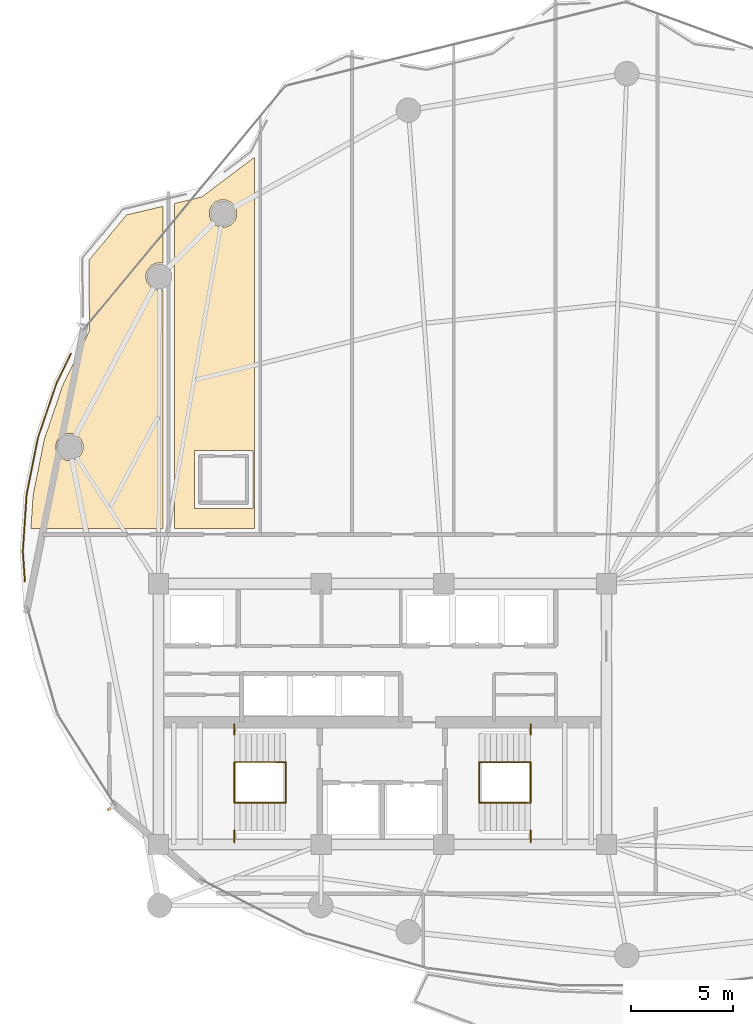
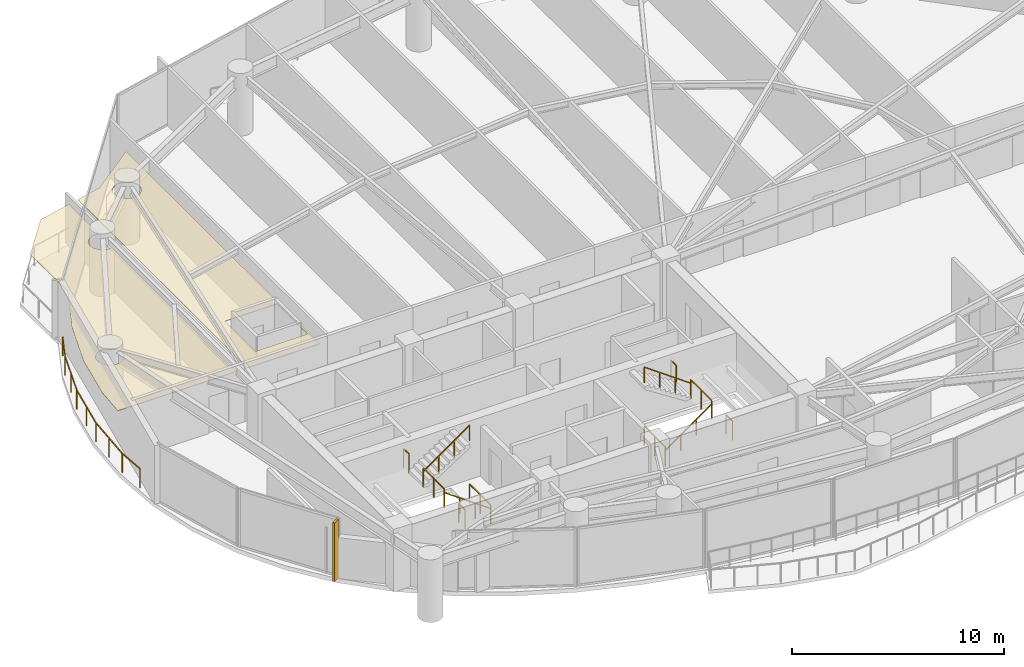
# One storey, part 26 of 28: 13 railings, 2 coverings, 1 shading device.
"""IFC4 building model written with IfcOpenShell, lengths in metres."""

from ifc_helpers import new_model, si_unit, direction, frame, origin, origin_2d, place, context, subcontext, project, spatial, polyline, rectangle, outline, extrude, material, layer, layer_set, type_object, element, save


model = new_model("IFC4")

# Units and contexts
model_context = context("Model", 3, precision=1e-05, world=origin(), true_north=direction((0.0, 1.0)))
body_context = subcontext(model_context, "Body", "Model", "MODEL_VIEW")
ifc_project = project(units=[si_unit("LENGTHUNIT", "METRE"), si_unit("AREAUNIT", "SQUARE_METRE"), si_unit("VOLUMEUNIT", "CUBIC_METRE"), si_unit("PLANEANGLEUNIT", "RADIAN"), si_unit("MASSUNIT", "GRAM", prefix="KILO")], contexts=[model_context])

# Site, building, storey
site_placement = place(None, origin())
site = spatial("IfcSite", under=ifc_project, at=site_placement, CompositionType="ELEMENT")
building_placement = place(site_placement, origin())
building = spatial("IfcBuilding", under=site, at=building_placement, Name="Kazevale Care Tower and Concert Hall", CompositionType="ELEMENT")
storey_placement = place(building_placement, frame((0.0, 0.0, 135.0)))
storey = spatial("IfcBuildingStorey", under=building, at=storey_placement, Name="L35", CompositionType="ELEMENT", Elevation=135.0)

# Coverings
ifc_material_1 = material(Name="Acoustic Plaster and Hinoki Wood", Category="wood")
ifc_layer = layer(ifc_material_1, 0.0400390625)
ifc_layer_set = layer_set([ifc_layer], Name="Acoustic Plaster and Hinoki Wood")
covering_type = type_object("IfcCoveringType", Name="Acoustic Perforated Wood-Gypsum Ceiling", PredefinedType="CEILING", material=ifc_layer_set)
covering_1_placement = place(storey_placement, frame((0.0, 0.0, 2.7099609375)))
element("IfcCovering", 1, at=covering_1_placement, inside=storey, type_object=covering_type, Name="clg:L35:1", PredefinedType="CEILING", context=body_context, shape_type="SweptSolid", body=[
    extrude(outline(polyline([(16.39208984375, 43.488037109375), (17.298095703125, 46.14697265625), (18.612060546875, 48.8291015625), (18.577880859375, 52.281005859375), (20.43310546875, 54.51611328125), (22.219970703125, 54.93994140625), (22.219970703125, 52.14599609375), (21.9169921875, 52.156982421875), (21.672119140625, 52.054931640625), (21.422119140625, 51.75), (21.3701171875, 51.489990234375), (21.422119140625, 51.22998046875), (21.672119140625, 50.925048828125), (21.9169921875, 50.822998046875), (22.219970703125, 50.833984375), (22.219970703125, 39.10498046875), (15.73388671875, 39.10498046875), (15.843994140625, 40.760986328125), (16.39208984375, 43.488037109375)]), holes=[polyline([(18.297119140625, 43.2529296875), (18.195068359375, 43.498046875), (18.008056640625, 43.68505859375), (17.762939453125, 43.787109375), (17.4970703125, 43.787109375), (17.251953125, 43.68505859375), (17.06494140625, 43.498046875), (16.962890625, 43.2529296875), (16.962890625, 42.987060546875), (17.06494140625, 42.741943359375), (17.251953125, 42.554931640625), (17.4970703125, 42.452880859375), (17.762939453125, 42.452880859375), (18.008056640625, 42.554931640625), (18.195068359375, 42.741943359375), (18.297119140625, 42.987060546875), (18.297119140625, 43.2529296875)])]), origin(), (0.0, 0.0, 1.0), 0.0400390625),
])
covering_2_placement = place(storey_placement, frame((0.0, 0.0, 2.7099609375)))
element("IfcCovering", 2, at=covering_2_placement, inside=storey, type_object=covering_type, Name="clg:L35:2", PredefinedType="CEILING", context=body_context, shape_type="SweptSolid", body=[
    extrude(outline(polyline([(26.719970703125, 39.10498046875), (22.780029296875, 39.10498046875), (22.780029296875, 55.072998046875), (24.1279296875, 55.39404296875), (26.719970703125, 57.35205078125), (26.719970703125, 39.10498046875)]), holes=[polyline([(23.77001953125, 42.955078125), (23.77001953125, 40.094970703125), (26.6298828125, 40.094970703125), (26.6298828125, 42.955078125), (23.77001953125, 42.955078125)]), polyline([(25.8369140625, 54.712890625), (25.735107421875, 54.9580078125), (25.548095703125, 55.14501953125), (25.302978515625, 55.2470703125), (25.037109375, 55.2470703125), (24.7919921875, 55.14501953125), (24.60498046875, 54.9580078125), (24.5029296875, 54.712890625), (24.5029296875, 54.447021484375), (24.60498046875, 54.201904296875), (24.7919921875, 54.014892578125), (25.037109375, 53.9130859375), (25.302978515625, 53.9130859375), (25.548095703125, 54.014892578125), (25.735107421875, 54.201904296875), (25.8369140625, 54.447021484375), (25.8369140625, 54.712890625)])]), origin(), (0.0, 0.0, 1.0), 0.0400390625),
])

# Railings
ifc_material_2 = material(Name="Anodised Bronze Aluminium and Laminated Glass", Category="aluminium")
railing_type_1 = type_object("IfcRailingType", Name="Balcony and Terrace Balustrade 1120", PredefinedType="BALUSTRADE", material=ifc_material_2)
railing_1_placement = place(storey_placement, frame((15.43994140625, 36.514892578125, 0.0)))
element("IfcRailing", 3, at=railing_1_placement, inside=storey, type_object=railing_type_1, Name="rail:L35:perim:1", PredefinedType="BALUSTRADE", context=body_context, shape_type="SweptSolid", body=[
    extrude(rectangle(XDim=0.048095703125, YDim=0.048095703125, at=origin_2d()), frame((0.0, 0.0, 1.09619140625), z_axis=(-0.067085094259, 0.99774725764, 0.0), x_axis=(-0.99774725764, -0.067085094259, 0.0)), (0.0, 0.0, 1.0), 1.488525390625),
    extrude(rectangle(XDim=0.048095703125, YDim=0.048095703125, at=origin_2d()), frame((-0.099853515625, 1.485107421875, 1.09619140625), z_axis=(0.066138294973, 0.997810465939, 0.0), x_axis=(-0.997810465939, 0.066138294973, 0.0)), (0.0, 0.0, 1.0), 2.80908203125),
    extrude(rectangle(XDim=0.048095703125, YDim=0.048095703125, at=origin_2d()), frame((0.0859375, 4.2880859375, 1.09619140625), z_axis=(0.197313197068, 0.980340503225, 0.0), x_axis=(-0.980340503225, 0.197313197068, 0.0)), (0.0, 0.0, 1.0), 2.823486328125),
    extrude(rectangle(XDim=0.048095703125, YDim=0.048095703125, at=origin_2d()), frame((0.64306640625, 7.05615234375, 1.09619140625), z_axis=(0.322414050189, 0.946598742996, 0.0), x_axis=(-0.946598742996, 0.322414050189, 0.0)), (0.0, 0.0, 1.0), 2.85009765625),
    extrude(rectangle(XDim=0.048095703125, YDim=0.048095703125, at=origin_2d()), frame((1.56201171875, 9.754150390625, 1.09619140625), z_axis=(0.44003868985, 0.89797881458, 0.0), x_axis=(-0.89797881458, 0.44003868985, 0.0)), (0.0, 0.0, 1.0), 1.595703125),
    extrude(rectangle(XDim=0.0419921875, YDim=0.0419921875, at=origin_2d()), origin(), (0.0, 0.0, 1.0), 1.072021484375),
    extrude(rectangle(XDim=0.0419921875, YDim=0.0419921875, at=origin_2d()), frame((-0.099853515625, 1.485107421875, 0.0)), (0.0, 0.0, 1.0), 1.072021484375),
    extrude(rectangle(XDim=0.0419921875, YDim=0.0419921875, at=origin_2d()), frame((-0.0068359375, 2.88671875, 0.0)), (0.0, 0.0, 1.0), 1.072021484375),
    extrude(rectangle(XDim=0.0419921875, YDim=0.0419921875, at=origin_2d()), frame((0.0859375, 4.2880859375, 0.0)), (0.0, 0.0, 1.0), 1.072021484375),
    extrude(rectangle(XDim=0.0419921875, YDim=0.0419921875, at=origin_2d()), frame((0.364501953125, 5.672119140625, 0.0)), (0.0, 0.0, 1.0), 1.072021484375),
    extrude(rectangle(XDim=0.0419921875, YDim=0.0419921875, at=origin_2d()), frame((0.64306640625, 7.05615234375, 0.0)), (0.0, 0.0, 1.0), 1.072021484375),
    extrude(rectangle(XDim=0.0419921875, YDim=0.0419921875, at=origin_2d()), frame((1.1025390625, 8.4052734375, 0.0)), (0.0, 0.0, 1.0), 1.072021484375),
    extrude(rectangle(XDim=0.0419921875, YDim=0.0419921875, at=origin_2d()), frame((1.56201171875, 9.754150390625, 0.0)), (0.0, 0.0, 1.0), 1.072021484375),
    extrude(rectangle(XDim=0.0419921875, YDim=0.0419921875, at=origin_2d()), frame((2.26416015625, 11.18701171875, 0.0)), (0.0, 0.0, 1.0), 1.072021484375),
])
ifc_material_3 = material(Name="Stainless Steel 316", Category="steel")
railing_type_2 = type_object("IfcRailingType", Name="Stair Pitch Handrail 920", PredefinedType="HANDRAIL", material=ifc_material_3)
railing_2_placement = place(storey_placement, frame((28.25, 25.659912109375, 0.0)))
element("IfcRailing", 4, at=railing_2_placement, inside=storey, type_object=railing_type_2, Name="stair:L35:ST1:hr1", PredefinedType="HANDRAIL", context=body_context, shape_type="SweptSolid", body=[
    extrude(rectangle(XDim=0.048095703125, YDim=0.048095703125, at=origin_2d()), frame((0.0, 0.0, 0.89599609375), z_axis=(-0.813728144527, 0.0, 0.581245650998), x_axis=(0.0, -1.0, 0.0)), (0.0, 0.0, 1.0), 3.096923828125),
    extrude(rectangle(XDim=0.0419921875, YDim=0.0419921875, at=origin_2d()), origin(), (0.0, 0.0, 1.0), 0.871826171875),
    extrude(rectangle(XDim=0.0419921875, YDim=0.0419921875, at=origin_2d()), frame((-0.840087890625, 0.0, 0.60009765625)), (0.0, 0.0, 1.0), 0.871826171875),
    extrude(rectangle(XDim=0.0419921875, YDim=0.0419921875, at=origin_2d()), frame((-1.679931640625, 0.0, 1.199951171875)), (0.0, 0.0, 1.0), 0.871826171875),
    extrude(rectangle(XDim=0.0419921875, YDim=0.0419921875, at=origin_2d()), frame((-2.52001953125, 0.0, 1.800048828125)), (0.0, 0.0, 1.0), 0.871826171875),
])
for number, where, name in (
    (5, (25.72998046875, 27.639892578125, 1.800048828125), "stair:L35:ST1:hr2"),
    (6, (37.75, 25.659912109375, 0.0), "stair:L35:ST2:hr1"),
):
    element("IfcRailing", number, at=place(storey_placement, frame(where)), inside=storey, type_object=railing_type_2, Name=name, PredefinedType="HANDRAIL", context=body_context, shape_type="SweptSolid", body=[
        extrude(rectangle(XDim=0.048095703125, YDim=0.048095703125, at=origin_2d()), frame((0.0, 0.0, 0.89599609375), z_axis=(0.813728144527, 0.0, 0.581245650998), x_axis=(0.0, 1.0, 0.0)), (0.0, 0.0, 1.0), 3.096923828125),
        extrude(rectangle(XDim=0.0419921875, YDim=0.0419921875, at=origin_2d()), origin(), (0.0, 0.0, 1.0), 0.871826171875),
        extrude(rectangle(XDim=0.0419921875, YDim=0.0419921875, at=origin_2d()), frame((0.840087890625, 0.0, 0.60009765625)), (0.0, 0.0, 1.0), 0.871826171875),
        extrude(rectangle(XDim=0.0419921875, YDim=0.0419921875, at=origin_2d()), frame((1.679931640625, 0.0, 1.199951171875)), (0.0, 0.0, 1.0), 0.871826171875),
        extrude(rectangle(XDim=0.0419921875, YDim=0.0419921875, at=origin_2d()), frame((2.52001953125, 0.0, 1.800048828125)), (0.0, 0.0, 1.0), 0.871826171875),
    ])
railing_3_placement = place(storey_placement, frame((40.27001953125, 27.639892578125, 1.800048828125)))
element("IfcRailing", 7, at=railing_3_placement, inside=storey, type_object=railing_type_2, Name="stair:L35:ST2:hr2", PredefinedType="HANDRAIL", context=body_context, shape_type="SweptSolid", body=[
    extrude(rectangle(XDim=0.048095703125, YDim=0.048095703125, at=origin_2d()), frame((0.0, 0.0, 0.89599609375), z_axis=(-0.813728144527, 0.0, 0.581245650998), x_axis=(0.0, -1.0, 0.0)), (0.0, 0.0, 1.0), 3.096923828125),
    extrude(rectangle(XDim=0.0419921875, YDim=0.0419921875, at=origin_2d()), origin(), (0.0, 0.0, 1.0), 0.871826171875),
    extrude(rectangle(XDim=0.0419921875, YDim=0.0419921875, at=origin_2d()), frame((-0.840087890625, 0.0, 0.60009765625)), (0.0, 0.0, 1.0), 0.871826171875),
    extrude(rectangle(XDim=0.0419921875, YDim=0.0419921875, at=origin_2d()), frame((-1.679931640625, 0.0, 1.199951171875)), (0.0, 0.0, 1.0), 0.871826171875),
    extrude(rectangle(XDim=0.0419921875, YDim=0.0419921875, at=origin_2d()), frame((-2.52001953125, 0.0, 1.800048828125)), (0.0, 0.0, 1.0), 0.871826171875),
])
railing_type_3 = type_object("IfcRailingType", Name="Stair Well Guard Balustrade 1120", PredefinedType="BALUSTRADE", material=ifc_material_3)
railing_4_placement = place(storey_placement, frame((25.72998046875, 23.699951171875, 1.800048828125)))
element("IfcRailing", 8, at=railing_4_placement, inside=storey, type_object=railing_type_3, Name="stair:L35:ST1:grd_side1", PredefinedType="BALUSTRADE", context=body_context, shape_type="SweptSolid", body=[
    extrude(rectangle(XDim=0.048095703125, YDim=0.048095703125, at=origin_2d()), frame((0.0, 0.0, 1.09619140625), z_axis=(0.0, 1.0, 0.0), x_axis=(-1.0, 0.0, 0.0)), (0.0, 0.0, 1.0), 0.610107421875),
    extrude(rectangle(XDim=0.0419921875, YDim=0.0419921875, at=origin_2d()), origin(), (0.0, 0.0, 1.0), 1.072021484375),
    extrude(rectangle(XDim=0.0419921875, YDim=0.0419921875, at=origin_2d()), frame((0.0, 0.610107421875, 0.0)), (0.0, 0.0, 1.0), 1.072021484375),
])
railing_5_placement = place(storey_placement, frame((25.72998046875, 28.989990234375, 1.800048828125)))
element("IfcRailing", 9, at=railing_5_placement, inside=storey, type_object=railing_type_3, Name="stair:L35:ST1:grd_side2", PredefinedType="BALUSTRADE", context=body_context, shape_type="SweptSolid", body=[
    extrude(rectangle(XDim=0.048095703125, YDim=0.048095703125, at=origin_2d()), frame((0.0, 0.0, 1.09619140625), z_axis=(0.0, 1.0, 0.0), x_axis=(-1.0, 0.0, 0.0)), (0.0, 0.0, 1.0), 0.510009765625),
    extrude(rectangle(XDim=0.0419921875, YDim=0.0419921875, at=origin_2d()), origin(), (0.0, 0.0, 1.0), 1.072021484375),
    extrude(rectangle(XDim=0.0419921875, YDim=0.0419921875, at=origin_2d()), frame((0.0, 0.510009765625, 0.0)), (0.0, 0.0, 1.0), 1.072021484375),
])
for number, where, name in (
    (10, (25.72998046875, 25.659912109375, 1.800048828125), "stair:L35:ST1:grd_mid"),
    (11, (28.25, 25.659912109375, 0.0), "stair:L35:ST1:grd_flr"),
):
    element("IfcRailing", number, at=place(storey_placement, frame(where)), inside=storey, type_object=railing_type_3, Name=name, PredefinedType="BALUSTRADE", context=body_context, shape_type="SweptSolid", body=[
        extrude(rectangle(XDim=0.048095703125, YDim=0.048095703125, at=origin_2d()), frame((0.0, 0.0, 1.09619140625), z_axis=(0.0, 1.0, 0.0), x_axis=(-1.0, 0.0, 0.0)), (0.0, 0.0, 1.0), 1.97998046875),
        extrude(rectangle(XDim=0.0419921875, YDim=0.0419921875, at=origin_2d()), origin(), (0.0, 0.0, 1.0), 1.072021484375),
        extrude(rectangle(XDim=0.0419921875, YDim=0.0419921875, at=origin_2d()), frame((0.0, 0.989990234375, 0.0)), (0.0, 0.0, 1.0), 1.072021484375),
        extrude(rectangle(XDim=0.0419921875, YDim=0.0419921875, at=origin_2d()), frame((0.0, 1.97998046875, 0.0)), (0.0, 0.0, 1.0), 1.072021484375),
    ])
railing_6_placement = place(storey_placement, frame((40.27001953125, 23.699951171875, 1.800048828125)))
element("IfcRailing", 12, at=railing_6_placement, inside=storey, type_object=railing_type_3, Name="stair:L35:ST2:grd_side1", PredefinedType="BALUSTRADE", context=body_context, shape_type="SweptSolid", body=[
    extrude(rectangle(XDim=0.048095703125, YDim=0.048095703125, at=origin_2d()), frame((0.0, 0.0, 1.09619140625), z_axis=(0.0, 1.0, 0.0), x_axis=(-1.0, 0.0, 0.0)), (0.0, 0.0, 1.0), 0.610107421875),
    extrude(rectangle(XDim=0.0419921875, YDim=0.0419921875, at=origin_2d()), origin(), (0.0, 0.0, 1.0), 1.072021484375),
    extrude(rectangle(XDim=0.0419921875, YDim=0.0419921875, at=origin_2d()), frame((0.0, 0.610107421875, 0.0)), (0.0, 0.0, 1.0), 1.072021484375),
])
railing_7_placement = place(storey_placement, frame((40.27001953125, 28.989990234375, 1.800048828125)))
element("IfcRailing", 13, at=railing_7_placement, inside=storey, type_object=railing_type_3, Name="stair:L35:ST2:grd_side2", PredefinedType="BALUSTRADE", context=body_context, shape_type="SweptSolid", body=[
    extrude(rectangle(XDim=0.048095703125, YDim=0.048095703125, at=origin_2d()), frame((0.0, 0.0, 1.09619140625), z_axis=(0.0, 1.0, 0.0), x_axis=(-1.0, 0.0, 0.0)), (0.0, 0.0, 1.0), 0.510009765625),
    extrude(rectangle(XDim=0.0419921875, YDim=0.0419921875, at=origin_2d()), origin(), (0.0, 0.0, 1.0), 1.072021484375),
    extrude(rectangle(XDim=0.0419921875, YDim=0.0419921875, at=origin_2d()), frame((0.0, 0.510009765625, 0.0)), (0.0, 0.0, 1.0), 1.072021484375),
])
for number, where, name in (
    (14, (40.27001953125, 25.659912109375, 1.800048828125), "stair:L35:ST2:grd_mid"),
    (15, (37.75, 25.659912109375, 0.0), "stair:L35:ST2:grd_flr"),
):
    element("IfcRailing", number, at=place(storey_placement, frame(where)), inside=storey, type_object=railing_type_3, Name=name, PredefinedType="BALUSTRADE", context=body_context, shape_type="SweptSolid", body=[
        extrude(rectangle(XDim=0.048095703125, YDim=0.048095703125, at=origin_2d()), frame((0.0, 0.0, 1.09619140625), z_axis=(0.0, 1.0, 0.0), x_axis=(-1.0, 0.0, 0.0)), (0.0, 0.0, 1.0), 1.97998046875),
        extrude(rectangle(XDim=0.0419921875, YDim=0.0419921875, at=origin_2d()), origin(), (0.0, 0.0, 1.0), 1.072021484375),
        extrude(rectangle(XDim=0.0419921875, YDim=0.0419921875, at=origin_2d()), frame((0.0, 0.989990234375, 0.0)), (0.0, 0.0, 1.0), 1.072021484375),
        extrude(rectangle(XDim=0.0419921875, YDim=0.0419921875, at=origin_2d()), frame((0.0, 1.97998046875, 0.0)), (0.0, 0.0, 1.0), 1.072021484375),
    ])

# Shading device
ifc_material_4 = material(Name="Honed Ochre Limestone", Category="masonry")
shading_device_type = type_object("IfcShadingDeviceType", Name="Vertical Honed Limestone Fin FIN-01", PredefinedType="USERDEFINED", material=ifc_material_4)
shading_device_placement = place(storey_placement, frame((19.649658203125, 25.387451171875, 0.0), z_axis=(0.0, 0.0, 1.0), x_axis=(-0.843391445813, -0.537299608347, 0.0)))
element("IfcShadingDevice", 16, at=shading_device_placement, inside=storey, type_object=shading_device_type, Name="cw:L35:f11:fin", ObjectType="FIN", PredefinedType="USERDEFINED", context=body_context, shape_type="SweptSolid", body=[
    extrude(rectangle(XDim=0.3798828125, YDim=0.1201171875, at=origin_2d()), origin(), (0.0, 0.0, 1.0), 3.360107421875),
])

save(model, "model.ifc")
